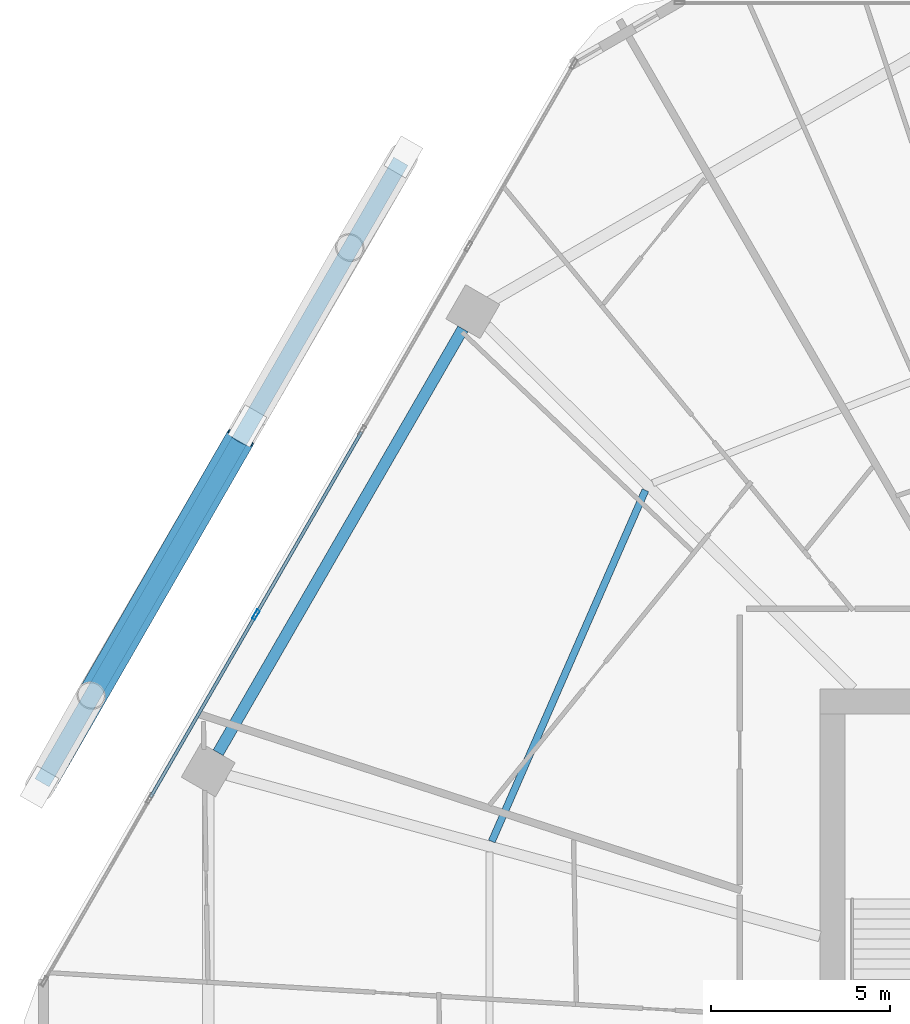
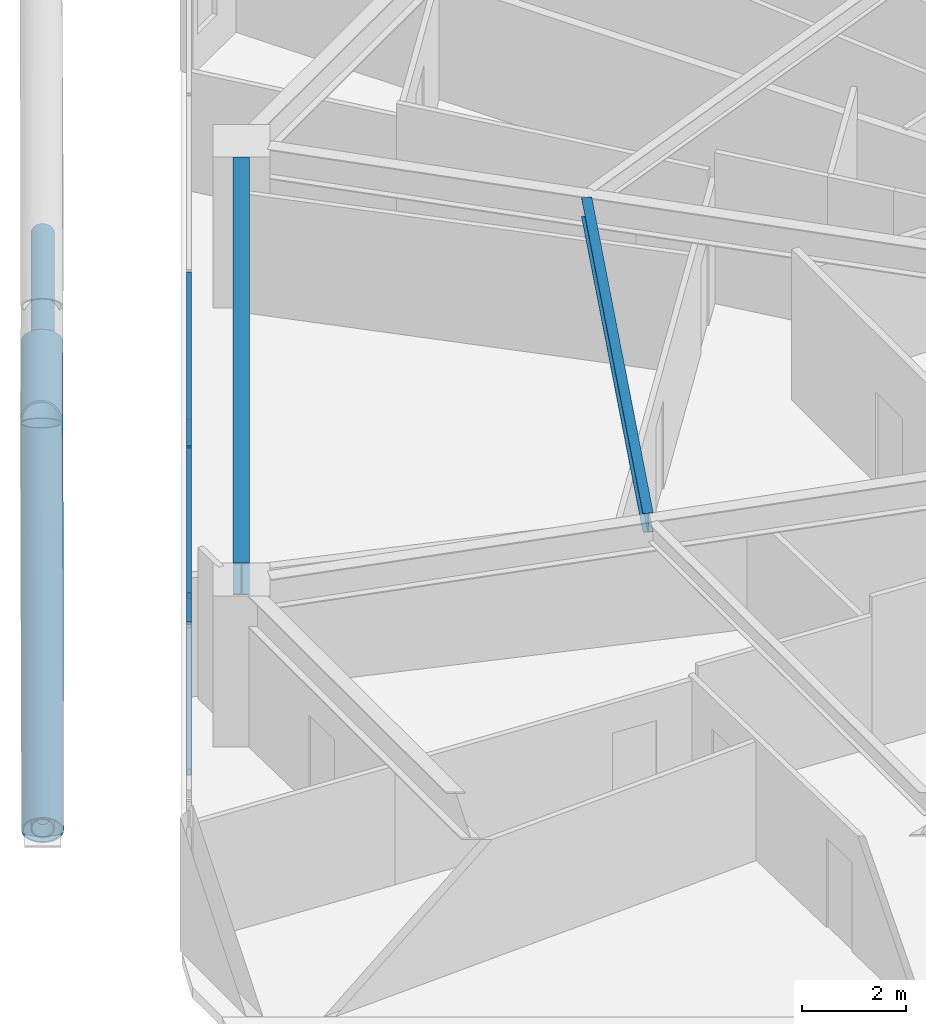
# One storey, part 16 of 35: 7 members, 2 beams, 1 element without a shape of its own.
"""IFC4 building model written with IfcOpenShell, lengths in metres."""

from ifc_helpers import new_model, si_unit, direction, frame, origin, origin_2d, place, context, subcontext, project, spatial, hollow_rectangle, hollow_circle, i_section, extrude, material, material_profile, profile_set, type_object, element, aggregate, save


model = new_model("IFC4")

# Units and contexts
model_context = context("Model", 3, precision=1e-05, world=origin(), true_north=direction((0.0, 1.0)))
body_context = subcontext(model_context, "Body", "Model", "MODEL_VIEW")
ifc_project = project(units=[si_unit("LENGTHUNIT", "METRE"), si_unit("AREAUNIT", "SQUARE_METRE"), si_unit("VOLUMEUNIT", "CUBIC_METRE"), si_unit("PLANEANGLEUNIT", "RADIAN"), si_unit("MASSUNIT", "GRAM", prefix="KILO")], contexts=[model_context])

# Site, building, storey
site_placement = place(None, origin())
site = spatial("IfcSite", under=ifc_project, at=site_placement, CompositionType="ELEMENT")
building_placement = place(site_placement, origin())
building = spatial("IfcBuilding", under=site, at=building_placement, Name="Zuhravey Tower", CompositionType="ELEMENT")
storey_placement = place(building_placement, frame((0.0, 0.0, 92.39990234375)))
storey = spatial("IfcBuildingStorey", under=building, at=storey_placement, Name="L22", CompositionType="ELEMENT", Elevation=92.39990234375)

# Curtain wall, members
ifc_material_1 = material(Name="Thermally broken anodised aluminium", Category="aluminium")
curtain_wall_type = type_object("IfcCurtainWallType", Name="Zone 1-2 Residential Curtain Wall CW3", PredefinedType="NOTDEFINED", material=ifc_material_1)
curtain_wall_placement = place(storey_placement, origin())
curtain_wall = element("IfcCurtainWall", 1, at=curtain_wall_placement, inside=storey, type_object=curtain_wall_type, Name="L22 CW3 CW-L22-F3-1", PredefinedType="NOTDEFINED")
ifc_material_2 = material(Name="Anodised aluminium", Category="aluminium")
ifc_material_profile_1 = material_profile(ifc_material_2, hollow_rectangle(XDim=0.090087890625, YDim=0.284912109375, WallThickness=0.0048828125, at=origin_2d()), Name="ALU-RHS-90x285x5")
ifc_profile_set_1 = profile_set([ifc_material_profile_1], Name="Anodised aluminium")
member_type_1 = type_object("IfcMemberType", Name="Curtain-Wall Mullion 90x180", PredefinedType="MULLION", material=ifc_profile_set_1)
member_1_placement = place(storey_placement, frame((9.44140625, 43.916015625, 0.0), z_axis=(0.0, 0.0, 1.0), x_axis=(-0.86602552265, 0.499999794119, 0.0)))
member_1 = element("IfcMember", 2, at=member_1_placement, type_object=member_type_1, Name="CW3 mullion 3", PredefinedType="MULLION", context=body_context, shape_type="SweptSolid", body=[
    extrude(hollow_rectangle(XDim=0.090087890625, YDim=0.284912109375, WallThickness=0.0048828125, at=origin_2d()), origin(), (0.0, 0.0, 1.0), 3.550048828125),
])
ifc_material_profile_2 = material_profile(ifc_material_2, hollow_rectangle(XDim=0.090087890625, YDim=0.14990234375, WallThickness=0.0048828125, at=origin_2d()), Name="ALU-RHS-90x150x5")
ifc_profile_set_2 = profile_set([ifc_material_profile_2], Name="Anodised aluminium")
member_type_2 = type_object("IfcMemberType", Name="Curtain-Wall Transom 90x150", PredefinedType="USERDEFINED", material=ifc_profile_set_2)
member_2_placement = place(storey_placement, frame((6.50390625, 38.828125, 0.045166015625), z_axis=(0.499981042766, 0.866036348472, 0.0), x_axis=(-0.866036348472, 0.499981042766, 0.0)))
member_2 = element("IfcMember", 3, at=member_2_placement, type_object=member_type_2, Name="CW3 transom 2.1", ObjectType="TRANSOM", PredefinedType="USERDEFINED", context=body_context, shape_type="SweptSolid", body=[
    extrude(hollow_rectangle(XDim=0.090087890625, YDim=0.14990234375, WallThickness=0.0048828125, at=origin_2d()), origin(), (0.0, 0.0, 1.0), 5.829833984375),
])
member_3_placement = place(storey_placement, frame((6.50390625, 38.828125, 3.505126953125), z_axis=(0.499981042766, 0.866036348472, 0.0), x_axis=(-0.866036348472, 0.499981042766, 0.0)))
member_3 = element("IfcMember", 4, at=member_3_placement, type_object=member_type_2, Name="CW3 transom 2.2", ObjectType="TRANSOM", PredefinedType="USERDEFINED", context=body_context, shape_type="SweptSolid", body=[
    extrude(hollow_rectangle(XDim=0.090087890625, YDim=0.14990234375, WallThickness=0.0048828125, at=origin_2d()), origin(), (0.0, 0.0, 1.0), 5.829833984375),
])
member_4_placement = place(storey_placement, frame((9.4638671875, 43.954833984375, 0.045166015625), z_axis=(0.499981042766, 0.866036348472, 0.0), x_axis=(-0.866036348472, 0.499981042766, 0.0)))
member_4 = element("IfcMember", 5, at=member_4_placement, type_object=member_type_2, Name="CW3 transom 3.1", ObjectType="TRANSOM", PredefinedType="USERDEFINED", context=body_context, shape_type="SweptSolid", body=[
    extrude(hollow_rectangle(XDim=0.090087890625, YDim=0.14990234375, WallThickness=0.0048828125, at=origin_2d()), origin(), (0.0, 0.0, 1.0), 5.829833984375),
])
member_5_placement = place(storey_placement, frame((9.4638671875, 43.954833984375, 3.505126953125), z_axis=(0.499981042766, 0.866036348472, 0.0), x_axis=(-0.866036348472, 0.499981042766, 0.0)))
member_5 = element("IfcMember", 6, at=member_5_placement, type_object=member_type_2, Name="CW3 transom 3.2", ObjectType="TRANSOM", PredefinedType="USERDEFINED", context=body_context, shape_type="SweptSolid", body=[
    extrude(hollow_rectangle(XDim=0.090087890625, YDim=0.14990234375, WallThickness=0.0048828125, at=origin_2d()), origin(), (0.0, 0.0, 1.0), 5.829833984375),
])
aggregate(curtain_wall, [member_1, member_2, member_3, member_4, member_5])

# Members
ifc_material_3 = material(Name="Steel SM355", Category="steel")
ifc_material_profile_3 = material_profile(ifc_material_3, hollow_circle(Radius=0.228515625, WallThickness=0.02197265625, at=origin_2d()), Name="CHS-457.2x22")
ifc_profile_set_3 = profile_set([ifc_material_profile_3], Name="Steel SM355")
member_type_3 = type_object("IfcMemberType", Name="Exoskeleton Ring Tie CHS457x22", PredefinedType="CHORD", material=ifc_profile_set_3)
member_6_placement = place(storey_placement, frame((13.477294921875, 56.546875, -0.4638671875), z_axis=(-0.499987058157, -0.866032875632, 0.0), x_axis=(0.866032875632, -0.499987058157, 0.0)))
element("IfcMember", 7, at=member_6_placement, inside=storey, type_object=member_type_3, Name="L22 Exoskeleton Face 3 Tie EXR1", PredefinedType="CHORD", context=body_context, shape_type="SweptSolid", body=[
    extrude(hollow_circle(Radius=0.228515625, WallThickness=0.02197265625, at=origin_2d()), origin(), (0.0, 0.0, 1.0), 19.99365234375),
])
ifc_material_4 = material(Name="Steel SM460", Category="steel")
ifc_material_profile_4 = material_profile(ifc_material_4, hollow_circle(Radius=0.406494140625, WallThickness=0.035888671875, at=origin_2d()), Name="CHS-812.8x36")
ifc_profile_set_4 = profile_set([ifc_material_profile_4], Name="Steel SM460")
member_type_4 = type_object("IfcMemberType", Name="Exoskeleton Zone 1 Diagrid CHS813x36", PredefinedType="BRACE", material=ifc_profile_set_4)
member_7_placement = place(storey_placement, frame((3.436767578125, 39.155517578125, -0.44677734375), z_axis=(0.474119789758, 0.823670021727, 0.311091819676), x_axis=(-0.866674532719, 0.498873986429, 0.0)))
element("IfcMember", 8, at=member_7_placement, inside=storey, type_object=member_type_4, Name="L22 Face 3 Split Diagrid Brace 3A", PredefinedType="BRACE", context=body_context, shape_type="SweptSolid", body=[
    extrude(hollow_circle(Radius=0.406494140625, WallThickness=0.035888671875, at=origin_2d()), origin(), (0.0, 0.0, 1.0), 11.76318359375),
])

# Beams
ifc_material_profile_5 = material_profile(ifc_material_3, i_section(OverallWidth=0.320068359375, OverallDepth=0.75, WebThickness=0.013916015625, FlangeThickness=0.02490234375, at=origin_2d()), Name="H-750x320x14x25")
ifc_profile_set_5 = profile_set([ifc_material_profile_5], Name="Steel SM355")
beam_type_1 = type_object("IfcBeamType", Name="Perimeter Ring Beam H750x320", PredefinedType="BEAM", material=ifc_profile_set_5)
beam_1_placement = place(storey_placement, frame((15.20458984375, 51.8779296875, 3.175048828125), z_axis=(-0.500008177929, -0.866020682204, 0.0), x_axis=(0.866020682204, -0.500008177929, 0.0)))
element("IfcBeam", 9, at=beam_1_placement, inside=storey, type_object=beam_type_1, Name="L22 PB1 BM-L22-PB-05", PredefinedType="BEAM", context=body_context, shape_type="SweptSolid", body=[
    extrude(i_section(OverallWidth=0.320068359375, OverallDepth=0.75, WebThickness=0.013916015625, FlangeThickness=0.02490234375, at=origin_2d()), origin(), (0.0, 0.0, 1.0), 13.634033203125),
])
ifc_material_profile_6 = material_profile(ifc_material_3, i_section(OverallWidth=0.199951171875, OverallDepth=0.449951171875, WebThickness=0.009033203125, FlangeThickness=0.013916015625, at=origin_2d()), Name="H-450x200x9x14")
ifc_profile_set_6 = profile_set([ifc_material_profile_6], Name="Steel SM355")
beam_type_2 = type_object("IfcBeamType", Name="Secondary Floor Joist H450x200", PredefinedType="JOIST", material=ifc_profile_set_6)
beam_2_placement = place(storey_placement, frame((20.28955078125, 47.384033203125, 3.3251953125), z_axis=(-0.400786454617, -0.916171500209, 0.0), x_axis=(0.916171500209, -0.400786454617, 0.0)))
element("IfcBeam", 10, at=beam_2_placement, inside=storey, type_object=beam_type_2, Name="L22 SJ1 BM-L22-SJ-05-1", PredefinedType="JOIST", context=body_context, shape_type="SweptSolid", body=[
    extrude(i_section(OverallWidth=0.199951171875, OverallDepth=0.449951171875, WebThickness=0.009033203125, FlangeThickness=0.013916015625, at=origin_2d()), origin(), (0.0, 0.0, 1.0), 10.6796875),
])

save(model, "model.ifc")
